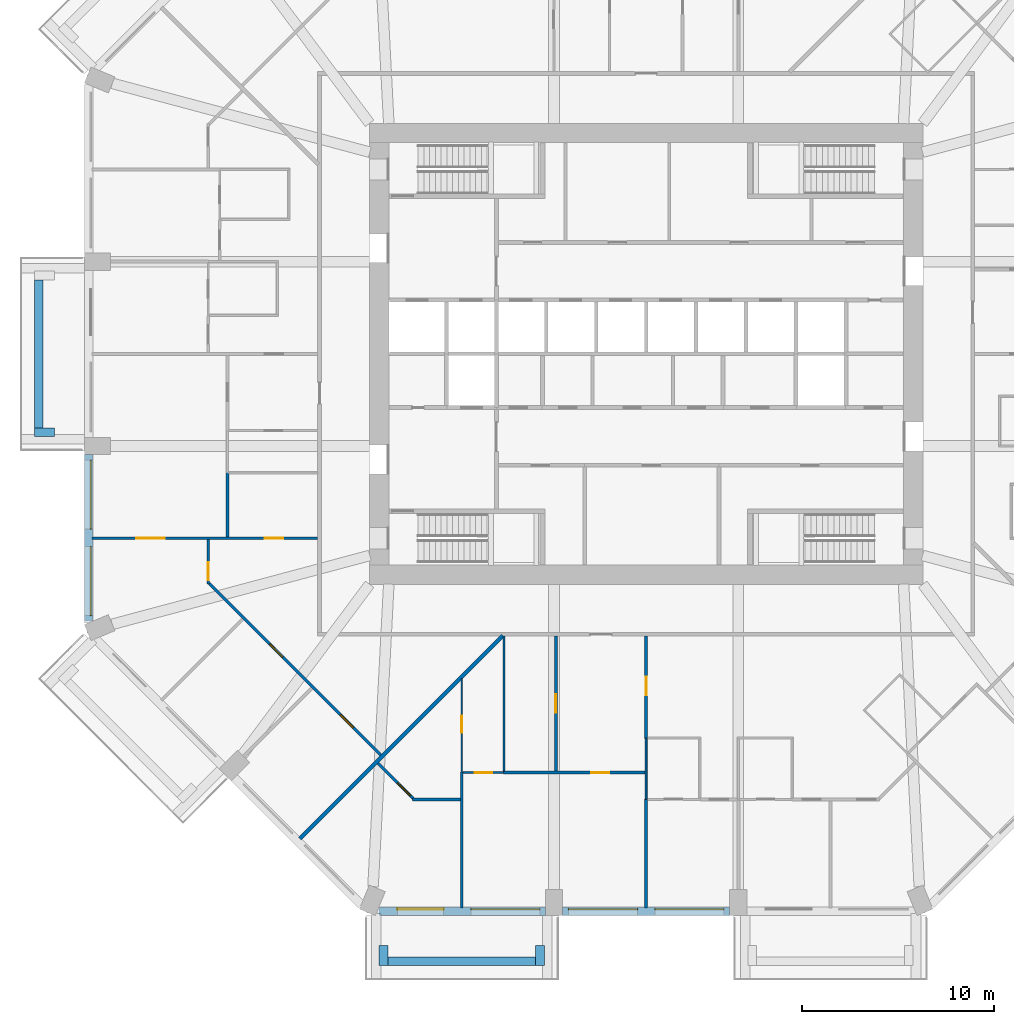
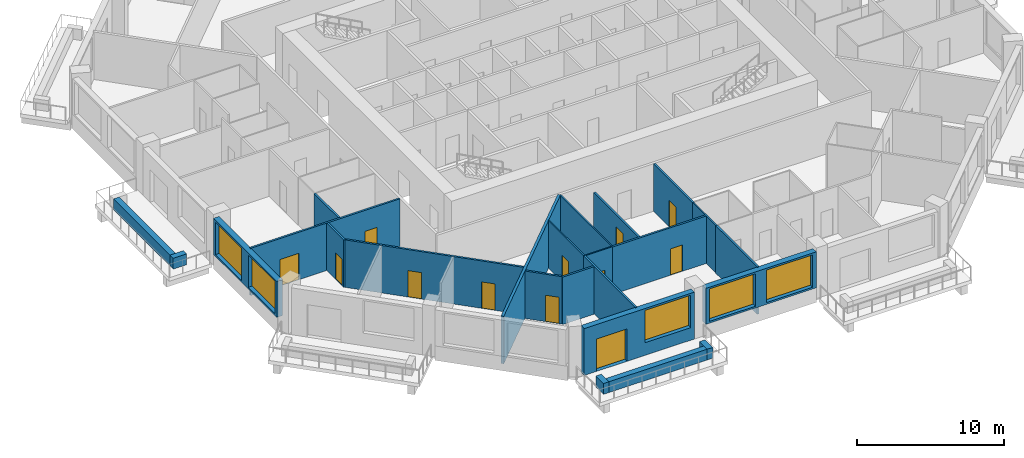
# One storey, part 3 of 13: 24 walls, 12 doors, 5 windows, 17 openings.
"""IFC4 building model written with IfcOpenShell, lengths in metres."""

from ifc_helpers import new_model, si_unit, direction, frame, frame_2d, origin, place, context, subcontext, project, spatial, rectangle, extrude, material, layer, layer_set, type_object, element, fill, save


model = new_model("IFC4")

# Units and contexts
model_context = context("Model", 3, precision=1e-05, world=origin(), true_north=direction((0.0, 1.0)))
body_context = subcontext(model_context, "Body", "Model", "MODEL_VIEW")
ifc_project = project(units=[si_unit("LENGTHUNIT", "METRE"), si_unit("AREAUNIT", "SQUARE_METRE"), si_unit("VOLUMEUNIT", "CUBIC_METRE"), si_unit("PLANEANGLEUNIT", "RADIAN"), si_unit("MASSUNIT", "GRAM", prefix="KILO")], contexts=[model_context])

# Site, building, storey
site_placement = place(None, origin())
site = spatial("IfcSite", under=ifc_project, at=site_placement, CompositionType="ELEMENT")
building_placement = place(site_placement, origin())
building = spatial("IfcBuilding", under=site, at=building_placement, Name="Msitu Wima Residences", CompositionType="ELEMENT")
storey_placement = place(building_placement, frame((0.0, 0.0, 71.699951171875)))
storey = spatial("IfcBuildingStorey", under=building, at=storey_placement, Name="L16", CompositionType="ELEMENT", Elevation=71.699951171875)

# Walls
ifc_material_1 = material(Name="Facing brick")
ifc_layer_1 = layer(ifc_material_1, 0.06494140625, Name="Facing brick")
ifc_material_2 = material(Name="Concrete C40/50", Category="concrete")
ifc_layer_2 = layer(ifc_material_2, 0.156005859375, Name="Concrete C40/50")
ifc_material_3 = material(Name="Waterproofing membrane")
ifc_layer_3 = layer(ifc_material_3, 0.00390625, Name="Waterproofing membrane")
ifc_material_4 = material(Name="Planting soil and planting")
ifc_layer_4 = layer(ifc_material_4, 0.22509765625, Name="Planting soil and planting")
ifc_layer_set_1 = layer_set([ifc_layer_1, ifc_layer_2, ifc_layer_3, ifc_layer_4], Name="Concrete C40/50")
wall_type_1 = type_object("IfcWallType", Name="Balcony planter PLANTER PL450", PredefinedType="USERDEFINED", material=ifc_layer_set_1)
wall_1_placement = place(storey_placement, frame((-31.625, 3.85009765625, 0.0), z_axis=(0.0, 0.0, 1.0), x_axis=(0.0, -1.0, 0.0)))
element("IfcWall", 1, at=wall_1_placement, inside=storey, type_object=wall_type_1, Name="Balcony planter W1 L16", ObjectType="PLANTER", PredefinedType="USERDEFINED", context=body_context, shape_type="SweptSolid", body=[
    extrude(rectangle(XDim=7.7001953125, YDim=0.449951171875, at=frame_2d((3.85009765625, 0.0))), origin(), (0.0, 0.0, 1.0), 0.900146484375),
])
wall_2_placement = place(storey_placement, frame((-30.800048828125, -4.074951171875, 0.0), z_axis=(0.0, 0.0, 1.0), x_axis=(-1.0, 0.0, 0.0)))
element("IfcWall", 2, at=wall_2_placement, inside=storey, type_object=wall_type_1, Name="Balcony planter W1 L16", ObjectType="PLANTER", PredefinedType="USERDEFINED", context=body_context, shape_type="SweptSolid", body=[
    extrude(rectangle(XDim=1.050048828125, YDim=0.449951171875, at=frame_2d((0.52490234375, 0.0))), origin(), (0.0, 0.0, 1.0), 0.900146484375),
])
wall_3_placement = place(storey_placement, frame((-13.449951171875, -31.625, 0.0), z_axis=(0.0, 0.0, 1.0), x_axis=(1.0, 0.0, 0.0)))
element("IfcWall", 3, at=wall_3_placement, inside=storey, type_object=wall_type_1, Name="Balcony planter S0 L16", ObjectType="PLANTER", PredefinedType="USERDEFINED", context=body_context, shape_type="SweptSolid", body=[
    extrude(rectangle(XDim=7.699951171875, YDim=0.449951171875, at=frame_2d((3.85009765625, 0.0))), origin(), (0.0, 0.0, 1.0), 0.900146484375),
])
for number, where, z_axis, x_axis, name in (
    (4, (-13.675048828125, -30.800048828125, 0.0), (0.0, 0.0, 1.0), (0.0, -1.0, 0.0), "Balcony planter S0 L16"),
    (5, (-5.52490234375, -30.800048828125, 0.0), (0.0, 0.0, 1.0), (0.0, -1.0, 0.0), "Balcony planter S0 L16"),
):
    element("IfcWall", number, at=place(storey_placement, frame(where, z_axis=z_axis, x_axis=x_axis)), inside=storey, type_object=wall_type_1, Name=name, ObjectType="PLANTER", PredefinedType="USERDEFINED", context=body_context, shape_type="SweptSolid", body=[
        extrude(rectangle(XDim=1.050048828125, YDim=0.449951171875, at=frame_2d((0.52490234375, 0.0))), origin(), (0.0, 0.0, 1.0), 0.900146484375),
    ])

# Wall, openings, windows
ifc_material_5 = material(Name="Brick (red buff mix)", Category="masonry")
ifc_layer_5 = layer(ifc_material_5, 0.449951171875)
ifc_layer_set_2 = layer_set([ifc_layer_5], Name="Brick (red buff mix)")
wall_type_2 = type_object("IfcWallType", Name="Brick infill wall BW450", PredefinedType="SOLIDWALL", material=ifc_layer_set_2)
wall_4_placement = place(storey_placement, frame((-29.02490234375, -5.25, 0.900146484375), z_axis=(0.0, 0.0, 1.0), x_axis=(0.0, -1.0, 0.0)))
wall_4 = element("IfcWall", 6, at=wall_4_placement, inside=storey, type_object=wall_type_2, Name="Brick infill wall L16 W2", PredefinedType="SOLIDWALL", context=body_context, shape_type="SweptSolid", body=[
    extrude(rectangle(XDim=8.662841796875, YDim=0.449951171875, at=frame_2d((4.33154296875, 0.0))), origin(), (0.0, 0.0, 1.0), 3.0),
])
opening_1_placement = place(wall_4_placement, frame((0.281494140625, 0.0, 0.14990234375)))
opening_1 = element("IfcOpeningElement", 7, at=opening_1_placement, cuts=wall_4, Name="Opening W16-17.029", PredefinedType="OPENING", context=body_context, shape_type="SweptSolid", body=[
    extrude(rectangle(XDim=3.60009765625, YDim=2.699951171875, at=frame_2d((1.800048828125, 1.35009765625))), frame((0.0, 0.23486328125, 0.0), z_axis=(0.0, -1.0, 0.0), x_axis=(1.0, 0.0, 0.0)), (0.0, 0.0, 1.0), 0.469970703125),
])
opening_2_placement = place(wall_4_placement, frame((4.781494140625, 0.0, 0.14990234375)))
opening_2 = element("IfcOpeningElement", 8, at=opening_2_placement, cuts=wall_4, Name="Opening W16-17.030", PredefinedType="OPENING", context=body_context, shape_type="SweptSolid", body=[
    extrude(rectangle(XDim=3.60009765625, YDim=2.699951171875, at=frame_2d((1.800048828125, 1.35009765625))), frame((0.0, 0.23486328125, 0.0), z_axis=(0.0, -1.0, 0.0), x_axis=(1.0, 0.0, 0.0)), (0.0, 0.0, 1.0), 0.469970703125),
])
ifc_material_6 = material(Name="Anodised aluminium, bronze finish, clear low-emissivity double glazing", Category="aluminium")
window_type = type_object("IfcWindowType", Name="Window W3600x2700", PartitioningType="DOUBLE_PANEL_VERTICAL", PredefinedType="WINDOW", material=ifc_material_6)
window_1_placement = place(opening_1_placement, origin())
window_1 = element("IfcWindow", 9, at=window_1_placement, inside=storey, type_object=window_type, Name="Window L16 W2.1", OverallHeight=2.699951171875, OverallWidth=3.60009765625, PartitioningType="SINGLE_PANEL", PredefinedType="WINDOW", context=body_context, shape_type="SweptSolid", body=[
    extrude(rectangle(XDim=3.60009765625, YDim=2.699951171875, at=frame_2d((1.800048828125, 1.35009765625))), frame((0.0, 0.135009765625, 0.0), z_axis=(0.0, -1.0, 0.0), x_axis=(1.0, 0.0, 0.0)), (0.0, 0.0, 1.0), 0.06005859375),
])
fill(opening_1, window_1)
window_2_placement = place(opening_2_placement, origin())
window_2 = element("IfcWindow", 10, at=window_2_placement, inside=storey, type_object=window_type, Name="Window L16 W2.2", OverallHeight=2.699951171875, OverallWidth=3.60009765625, PartitioningType="SINGLE_PANEL", PredefinedType="WINDOW", context=body_context, shape_type="SweptSolid", body=[
    extrude(rectangle(XDim=3.60009765625, YDim=2.699951171875, at=frame_2d((1.800048828125, 1.35009765625))), frame((0.0, 0.135009765625, 0.0), z_axis=(0.0, -1.0, 0.0), x_axis=(1.0, 0.0, 0.0)), (0.0, 0.0, 1.0), 0.06005859375),
])
fill(opening_2, window_2)

# Wall, openings, door, window
wall_5_placement = place(storey_placement, frame((-13.912841796875, -29.02490234375, 0.0), z_axis=(0.0, 0.0, 1.0), x_axis=(1.0, 0.0, 0.0)))
wall_5 = element("IfcWall", 11, at=wall_5_placement, inside=storey, type_object=wall_type_2, Name="Brick infill wall L16 S0", PredefinedType="SOLIDWALL", context=body_context, shape_type="SweptSolid", body=[
    extrude(rectangle(XDim=8.662841796875, YDim=0.449951171875, at=frame_2d((4.33154296875, 0.0))), origin(), (0.0, 0.0, 1.0), 3.900146484375),
])
opening_3_placement = place(wall_5_placement, frame((0.9658203125, 0.0, 0.0)))
opening_3 = element("IfcOpeningElement", 12, at=opening_3_placement, cuts=wall_5, Name="Opening D16-17.006", PredefinedType="OPENING", context=body_context, shape_type="SweptSolid", body=[
    extrude(rectangle(XDim=2.39990234375, YDim=2.699951171875, at=frame_2d((1.199951171875, 1.35009765625))), frame((0.0, 0.23486328125, 0.0), z_axis=(0.0, -1.0, 0.0), x_axis=(1.0, 0.0, 0.0)), (0.0, 0.0, 1.0), 0.469970703125),
])
opening_4_placement = place(wall_5_placement, frame((4.781494140625, 0.0, 1.050048828125)))
opening_4 = element("IfcOpeningElement", 13, at=opening_4_placement, cuts=wall_5, Name="Opening W16-17.016", PredefinedType="OPENING", context=body_context, shape_type="SweptSolid", body=[
    extrude(rectangle(XDim=3.60009765625, YDim=2.699951171875, at=frame_2d((1.800048828125, 1.35009765625))), frame((0.0, 0.23486328125, 0.0), z_axis=(0.0, -1.0, 0.0), x_axis=(1.0, 0.0, 0.0)), (0.0, 0.0, 1.0), 0.469970703125),
])
door_type_1 = type_object("IfcDoorType", Name="Balcony door D2400x2700", OperationType="SLIDING_TO_LEFT", PredefinedType="DOOR", material=ifc_material_6)
door_1_placement = place(opening_3_placement, origin())
door_1 = element("IfcDoor", 14, at=door_1_placement, inside=storey, type_object=door_type_1, Name="Balcony door L16 S0", OperationType="SINGLE_SWING_LEFT", OverallHeight=2.699951171875, OverallWidth=2.39990234375, PredefinedType="DOOR", context=body_context, shape_type="SweptSolid", body=[
    extrude(rectangle(XDim=2.39990234375, YDim=2.699951171875, at=frame_2d((1.199951171875, 1.35009765625))), frame((0.0, 0.1298828125, 0.0), z_axis=(0.0, -1.0, 0.0), x_axis=(1.0, 0.0, 0.0)), (0.0, 0.0, 1.0), 0.050048828125),
])
fill(opening_3, door_1)
window_3_placement = place(opening_4_placement, origin())
window_3 = element("IfcWindow", 15, at=window_3_placement, inside=storey, type_object=window_type, Name="Window L16 S0.2", OverallHeight=2.699951171875, OverallWidth=3.60009765625, PartitioningType="SINGLE_PANEL", PredefinedType="WINDOW", context=body_context, shape_type="SweptSolid", body=[
    extrude(rectangle(XDim=3.60009765625, YDim=2.699951171875, at=frame_2d((1.800048828125, 1.35009765625))), frame((0.0, 0.135009765625, 0.0), z_axis=(0.0, -1.0, 0.0), x_axis=(1.0, 0.0, 0.0)), (0.0, 0.0, 1.0), 0.06005859375),
])
fill(opening_4, window_3)

# Wall, openings, windows
wall_6_placement = place(storey_placement, frame((-4.35009765625, -29.02490234375, 0.900146484375), z_axis=(0.0, 0.0, 1.0), x_axis=(1.0, 0.0, 0.0)))
wall_6 = element("IfcWall", 16, at=wall_6_placement, inside=storey, type_object=wall_type_2, Name="Brick infill wall L16 S1", PredefinedType="SOLIDWALL", context=body_context, shape_type="SweptSolid", body=[
    extrude(rectangle(XDim=8.7001953125, YDim=0.449951171875, at=frame_2d((4.35009765625, 0.0))), origin(), (0.0, 0.0, 1.0), 3.0),
])
opening_5_placement = place(wall_6_placement, frame((0.300048828125, 0.0, 0.14990234375)))
opening_5 = element("IfcOpeningElement", 17, at=opening_5_placement, cuts=wall_6, Name="Opening W16-17.017", PredefinedType="OPENING", context=body_context, shape_type="SweptSolid", body=[
    extrude(rectangle(XDim=3.60009765625, YDim=2.699951171875, at=frame_2d((1.800048828125, 1.35009765625))), frame((0.0, 0.23486328125, 0.0), z_axis=(0.0, -1.0, 0.0), x_axis=(1.0, 0.0, 0.0)), (0.0, 0.0, 1.0), 0.469970703125),
])
opening_6_placement = place(wall_6_placement, frame((4.800048828125, 0.0, 0.14990234375)))
opening_6 = element("IfcOpeningElement", 18, at=opening_6_placement, cuts=wall_6, Name="Opening W16-17.018", PredefinedType="OPENING", context=body_context, shape_type="SweptSolid", body=[
    extrude(rectangle(XDim=3.60009765625, YDim=2.699951171875, at=frame_2d((1.800048828125, 1.35009765625))), frame((0.0, 0.23486328125, 0.0), z_axis=(0.0, -1.0, 0.0), x_axis=(1.0, 0.0, 0.0)), (0.0, 0.0, 1.0), 0.469970703125),
])
window_4_placement = place(opening_5_placement, origin())
window_4 = element("IfcWindow", 19, at=window_4_placement, inside=storey, type_object=window_type, Name="Window L16 S1.1", OverallHeight=2.699951171875, OverallWidth=3.60009765625, PartitioningType="SINGLE_PANEL", PredefinedType="WINDOW", context=body_context, shape_type="SweptSolid", body=[
    extrude(rectangle(XDim=3.60009765625, YDim=2.699951171875, at=frame_2d((1.800048828125, 1.35009765625))), frame((0.0, 0.135009765625, 0.0), z_axis=(0.0, -1.0, 0.0), x_axis=(1.0, 0.0, 0.0)), (0.0, 0.0, 1.0), 0.06005859375),
])
fill(opening_5, window_4)
window_5_placement = place(opening_6_placement, origin())
window_5 = element("IfcWindow", 20, at=window_5_placement, inside=storey, type_object=window_type, Name="Window L16 S1.2", OverallHeight=2.699951171875, OverallWidth=3.60009765625, PartitioningType="SINGLE_PANEL", PredefinedType="WINDOW", context=body_context, shape_type="SweptSolid", body=[
    extrude(rectangle(XDim=3.60009765625, YDim=2.699951171875, at=frame_2d((1.800048828125, 1.35009765625))), frame((0.0, 0.135009765625, 0.0), z_axis=(0.0, -1.0, 0.0), x_axis=(1.0, 0.0, 0.0)), (0.0, 0.0, 1.0), 0.06005859375),
])
fill(opening_6, window_5)

# Wall, openings, doors
ifc_material_7 = material(Name="Plaster")
ifc_layer_6 = layer(ifc_material_7, 0.011962890625, Name="Plaster")
ifc_material_8 = material(Name="Concrete blockwork", Category="masonry")
ifc_layer_7 = layer(ifc_material_8, 0.1259765625, Name="Concrete blockwork")
ifc_layer_8 = layer(ifc_material_7, 0.011962890625, Name="Plaster")
ifc_layer_set_3 = layer_set([ifc_layer_6, ifc_layer_7, ifc_layer_8], Name="Concrete blockwork")
wall_type_3 = type_object("IfcWallType", Name="Partition PW150", PredefinedType="PARTITIONING", material=ifc_layer_set_3)
wall_7_placement = place(storey_placement, frame((-28.85498046875, -9.60009765625, 0.0), z_axis=(0.0, 0.0, 1.0), x_axis=(1.0, 0.0, 0.0)))
wall_7 = element("IfcWall", 21, at=wall_7_placement, inside=storey, type_object=wall_type_3, Name="Partition", PredefinedType="PARTITIONING", context=body_context, shape_type="SweptSolid", body=[
    extrude(rectangle(XDim=11.7548828125, YDim=0.14990234375, at=frame_2d((5.87744140625, 0.0))), origin(), (0.0, 0.0, 1.0), 3.949951171875),
])
opening_7_placement = place(wall_7_placement, frame((2.300048828125, 0.0, 0.0)))
opening_7 = element("IfcOpeningElement", 22, at=opening_7_placement, cuts=wall_7, Name="Opening D16-17.054", PredefinedType="OPENING", context=body_context, shape_type="SweptSolid", body=[
    extrude(rectangle(XDim=1.5, YDim=2.199951171875, at=frame_2d((0.75, 1.10009765625))), frame((0.0, 0.0849609375, 0.0), z_axis=(0.0, -1.0, 0.0), x_axis=(1.0, 0.0, 0.0)), (0.0, 0.0, 1.0), 0.169921875),
])
opening_8_placement = place(wall_7_placement, frame((9.0, 0.0, 0.0)))
opening_8 = element("IfcOpeningElement", 23, at=opening_8_placement, cuts=wall_7, Name="Opening D16-17.058", PredefinedType="OPENING", context=body_context, shape_type="SweptSolid", body=[
    extrude(rectangle(XDim=0.949951171875, YDim=2.199951171875, at=frame_2d((0.47509765625, 1.10009765625))), frame((0.0, 0.0849609375, 0.0), z_axis=(0.0, -1.0, 0.0), x_axis=(1.0, 0.0, 0.0)), (0.0, 0.0, 1.0), 0.169921875),
])
ifc_material_9 = material(Name="Timber double door", Category="wood")
door_type_2 = type_object("IfcDoorType", Name="Double door D04 1500x2200", OperationType="DOUBLE_DOOR_SINGLE_SWING", PredefinedType="DOOR", material=ifc_material_9)
door_2_placement = place(opening_7_placement, origin())
door_2 = element("IfcDoor", 24, at=door_2_placement, inside=storey, type_object=door_type_2, Name="Double door", OperationType="DOUBLE_DOOR_SINGLE_SWING", OverallHeight=2.199951171875, OverallWidth=1.5, PredefinedType="DOOR", context=body_context, shape_type="SweptSolid", body=[
    extrude(rectangle(XDim=1.5, YDim=2.199951171875, at=frame_2d((0.75, 1.10009765625))), frame((0.0, 0.02490234375, 0.0), z_axis=(0.0, -1.0, 0.0), x_axis=(1.0, 0.0, 0.0)), (0.0, 0.0, 1.0), 0.050048828125),
])
fill(opening_7, door_2)
ifc_material_10 = material(Name="Timber flush door", Category="wood")
door_type_3 = type_object("IfcDoorType", Name="Room door D12 950x2200", OperationType="SINGLE_SWING_LEFT", PredefinedType="DOOR", material=ifc_material_10)
door_3_placement = place(opening_8_placement, origin())
door_3 = element("IfcDoor", 25, at=door_3_placement, inside=storey, type_object=door_type_3, Name="Room door", OperationType="SINGLE_SWING_RIGHT", OverallHeight=2.199951171875, OverallWidth=0.949951171875, PredefinedType="DOOR", context=body_context, shape_type="SweptSolid", body=[
    extrude(rectangle(XDim=0.949951171875, YDim=2.199951171875, at=frame_2d((0.47509765625, 1.10009765625))), frame((0.0, 0.02490234375, 0.0), z_axis=(0.0, -1.0, 0.0), x_axis=(1.0, 0.0, 0.0)), (0.0, 0.0, 1.0), 0.050048828125),
])
fill(opening_8, door_3)

# Wall, opening, door
wall_8_placement = place(storey_placement, frame((-22.800048828125, -11.98974609375, 0.0), z_axis=(0.0, 0.0, 1.0), x_axis=(0.0, 1.0, 0.0)))
wall_8 = element("IfcWall", 26, at=wall_8_placement, inside=storey, type_object=wall_type_3, Name="Partition", PredefinedType="PARTITIONING", context=body_context, shape_type="SweptSolid", body=[
    extrude(rectangle(XDim=2.314697265625, YDim=0.14990234375, at=frame_2d((1.1572265625, 0.0))), origin(), (0.0, 0.0, 1.0), 3.949951171875),
])
opening_9_placement = place(wall_8_placement, frame((0.199951171875, 0.0, 0.0)))
opening_9 = element("IfcOpeningElement", 27, at=opening_9_placement, cuts=wall_8, Name="Opening D16-17.055", PredefinedType="OPENING", context=body_context, shape_type="SweptSolid", body=[
    extrude(rectangle(XDim=0.949951171875, YDim=2.199951171875, at=frame_2d((0.47509765625, 1.10009765625))), frame((0.0, 0.0849609375, 0.0), z_axis=(0.0, -1.0, 0.0), x_axis=(1.0, 0.0, 0.0)), (0.0, 0.0, 1.0), 0.169921875),
])
door_4_placement = place(opening_9_placement, origin())
door_4 = element("IfcDoor", 28, at=door_4_placement, inside=storey, type_object=door_type_3, Name="Room door", OperationType="SINGLE_SWING_RIGHT", OverallHeight=2.199951171875, OverallWidth=0.949951171875, PredefinedType="DOOR", context=body_context, shape_type="SweptSolid", body=[
    extrude(rectangle(XDim=0.949951171875, YDim=2.199951171875, at=frame_2d((0.47509765625, 1.10009765625))), frame((0.0, 0.02490234375, 0.0), z_axis=(0.0, -1.0, 0.0), x_axis=(1.0, 0.0, 0.0)), (0.0, 0.0, 1.0), 0.050048828125),
])
fill(opening_9, door_4)

# Wall, openings, doors
wall_9_placement = place(storey_placement, frame((-22.7470703125, -11.9677734375, 0.0), z_axis=(0.0, 0.0, 1.0), x_axis=(0.707106781187, -0.707106781187, 0.0)))
wall_9 = element("IfcWall", 29, at=wall_9_placement, inside=storey, type_object=wall_type_3, Name="Partition", PredefinedType="PARTITIONING", context=body_context, shape_type="SweptSolid", body=[
    extrude(rectangle(XDim=12.61328125, YDim=0.14990234375, at=frame_2d((6.306640625, 0.0))), origin(), (0.0, 0.0, 1.0), 3.949951171875),
])
opening_10_placement = place(wall_9_placement, frame((4.449951171875, 0.0, 0.0)))
opening_10 = element("IfcOpeningElement", 30, at=opening_10_placement, cuts=wall_9, Name="Opening D16-17.056", PredefinedType="OPENING", context=body_context, shape_type="SweptSolid", body=[
    extrude(rectangle(XDim=0.949951171875, YDim=2.199951171875, at=frame_2d((0.47509765625, 1.10009765625))), frame((0.0, 0.0849609375, 0.0), z_axis=(0.0, -1.0, 0.0), x_axis=(1.0, 0.0, 0.0)), (0.0, 0.0, 1.0), 0.169921875),
])
opening_11_placement = place(wall_9_placement, frame((9.64990234375, 0.0, 0.0)))
opening_11 = element("IfcOpeningElement", 31, at=opening_11_placement, cuts=wall_9, Name="Opening D16-17.057", PredefinedType="OPENING", context=body_context, shape_type="SweptSolid", body=[
    extrude(rectangle(XDim=0.949951171875, YDim=2.199951171875, at=frame_2d((0.47509765625, 1.10009765625))), frame((0.0, 0.0849609375, 0.0), z_axis=(0.0, -1.0, 0.0), x_axis=(1.0, 0.0, 0.0)), (0.0, 0.0, 1.0), 0.169921875),
])
door_5_placement = place(opening_10_placement, origin())
door_5 = element("IfcDoor", 32, at=door_5_placement, inside=storey, type_object=door_type_3, Name="Room door", OperationType="SINGLE_SWING_RIGHT", OverallHeight=2.199951171875, OverallWidth=0.949951171875, PredefinedType="DOOR", context=body_context, shape_type="SweptSolid", body=[
    extrude(rectangle(XDim=0.949951171875, YDim=2.199951171875, at=frame_2d((0.47509765625, 1.10009765625))), frame((0.0, 0.02490234375, 0.0), z_axis=(0.0, -1.0, 0.0), x_axis=(1.0, 0.0, 0.0)), (0.0, 0.0, 1.0), 0.050048828125),
])
fill(opening_10, door_5)
door_6_placement = place(opening_11_placement, origin())
door_6 = element("IfcDoor", 33, at=door_6_placement, inside=storey, type_object=door_type_3, Name="Room door", OperationType="SINGLE_SWING_RIGHT", OverallHeight=2.199951171875, OverallWidth=0.949951171875, PredefinedType="DOOR", context=body_context, shape_type="SweptSolid", body=[
    extrude(rectangle(XDim=0.949951171875, YDim=2.199951171875, at=frame_2d((0.47509765625, 1.10009765625))), frame((0.0, 0.02490234375, 0.0), z_axis=(0.0, -1.0, 0.0), x_axis=(1.0, 0.0, 0.0)), (0.0, 0.0, 1.0), 0.050048828125),
])
fill(opening_11, door_6)

# Wall
wall_10_placement = place(storey_placement, frame((-21.800048828125, -9.52490234375, 0.0), z_axis=(0.0, 0.0, 1.0), x_axis=(0.0, 1.0, 0.0)))
element("IfcWall", 34, at=wall_10_placement, inside=storey, type_object=wall_type_3, Name="Partition", PredefinedType="PARTITIONING", context=body_context, shape_type="SweptSolid", body=[
    extrude(rectangle(XDim=3.344970703125, YDim=0.14990234375, at=frame_2d((1.67236328125, 0.0))), origin(), (0.0, 0.0, 1.0), 3.949951171875),
])

# Wall, opening, door
wall_11_placement = place(storey_placement, frame((-13.969482421875, -21.310791015625, 0.0), z_axis=(0.0, 0.0, 1.0), x_axis=(0.707059767671, -0.707153791576, 0.0)))
wall_11 = element("IfcWall", 35, at=wall_11_placement, inside=storey, type_object=wall_type_3, Name="Partition", PredefinedType="PARTITIONING", context=body_context, shape_type="SweptSolid", body=[
    extrude(rectangle(XDim=2.5966796875, YDim=0.14990234375, at=frame_2d((1.29833984375, 0.0))), origin(), (0.0, 0.0, 1.0), 3.949951171875),
])
opening_12_placement = place(wall_11_placement, frame((1.449951171875, 0.0, 0.0)))
opening_12 = element("IfcOpeningElement", 36, at=opening_12_placement, cuts=wall_11, Name="Opening D16-17.074", PredefinedType="OPENING", context=body_context, shape_type="SweptSolid", body=[
    extrude(rectangle(XDim=0.949951171875, YDim=2.199951171875, at=frame_2d((0.47509765625, 1.10009765625))), frame((0.0, 0.0849609375, 0.0), z_axis=(0.0, -1.0, 0.0), x_axis=(1.0, 0.0, 0.0)), (0.0, 0.0, 1.0), 0.169921875),
])
door_7_placement = place(opening_12_placement, origin())
door_7 = element("IfcDoor", 37, at=door_7_placement, inside=storey, type_object=door_type_3, Name="Room door", OperationType="SINGLE_SWING_RIGHT", OverallHeight=2.199951171875, OverallWidth=0.949951171875, PredefinedType="DOOR", context=body_context, shape_type="SweptSolid", body=[
    extrude(rectangle(XDim=0.949951171875, YDim=2.199951171875, at=frame_2d((0.47509765625, 1.10009765625))), frame((0.0, 0.02490234375, 0.0), z_axis=(0.0, -1.0, 0.0), x_axis=(1.0, 0.0, 0.0)), (0.0, 0.0, 1.0), 0.050048828125),
])
fill(opening_12, door_7)

# Walls
wall_12_placement = place(storey_placement, frame((-12.155517578125, -23.199951171875, 0.0), z_axis=(0.0, 0.0, 1.0), x_axis=(1.0, 0.0, 0.0)))
element("IfcWall", 38, at=wall_12_placement, inside=storey, type_object=wall_type_3, Name="Partition", PredefinedType="PARTITIONING", context=body_context, shape_type="SweptSolid", body=[
    extrude(rectangle(XDim=2.48046875, YDim=0.14990234375, at=frame_2d((1.240234375, 0.0))), origin(), (0.0, 0.0, 1.0), 3.949951171875),
])
wall_13_placement = place(storey_placement, frame((-9.60009765625, -28.85498046875, 0.0), z_axis=(0.0, 0.0, 1.0), x_axis=(0.0, 1.0, 0.0)))
element("IfcWall", 39, at=wall_13_placement, inside=storey, type_object=wall_type_3, Name="Partition", PredefinedType="PARTITIONING", context=body_context, shape_type="SweptSolid", body=[
    extrude(rectangle(XDim=7.074951171875, YDim=0.14990234375, at=frame_2d((3.53759765625, 0.0))), origin(), (0.0, 0.0, 1.0), 3.949951171875),
])

# Wall, opening, door
wall_14_placement = place(storey_placement, frame((-7.419921875, -21.800048828125, 0.0), z_axis=(0.0, 0.0, 1.0), x_axis=(1.0, 0.0, 0.0)))
wall_14 = element("IfcWall", 40, at=wall_14_placement, inside=storey, type_object=wall_type_3, Name="Partition", PredefinedType="PARTITIONING", context=body_context, shape_type="SweptSolid", body=[
    extrude(rectangle(XDim=7.369873046875, YDim=0.14990234375, at=frame_2d((3.68505859375, 0.0))), origin(), (0.0, 0.0, 1.0), 3.949951171875),
])
opening_13_placement = place(wall_14_placement, frame((4.550048828125, 0.0, 0.0)))
opening_13 = element("IfcOpeningElement", 41, at=opening_13_placement, cuts=wall_14, Name="Opening D16-17.060", PredefinedType="OPENING", context=body_context, shape_type="SweptSolid", body=[
    extrude(rectangle(XDim=0.949951171875, YDim=2.199951171875, at=frame_2d((0.47509765625, 1.10009765625))), frame((0.0, 0.0849609375, 0.0), z_axis=(0.0, -1.0, 0.0), x_axis=(1.0, 0.0, 0.0)), (0.0, 0.0, 1.0), 0.169921875),
])
door_8_placement = place(opening_13_placement, origin())
door_8 = element("IfcDoor", 42, at=door_8_placement, inside=storey, type_object=door_type_3, Name="Room door", OperationType="SINGLE_SWING_LEFT", OverallHeight=2.199951171875, OverallWidth=0.949951171875, PredefinedType="DOOR", context=body_context, shape_type="SweptSolid", body=[
    extrude(rectangle(XDim=0.949951171875, YDim=2.199951171875, at=frame_2d((0.47509765625, 1.10009765625))), frame((0.0, 0.02490234375, 0.0), z_axis=(0.0, -1.0, 0.0), x_axis=(1.0, 0.0, 0.0)), (0.0, 0.0, 1.0), 0.050048828125),
])
fill(opening_13, door_8)

wall_15_placement = place(storey_placement, frame((-4.699951171875, -21.72509765625, 0.0), z_axis=(0.0, 0.0, 1.0), x_axis=(0.0, 1.0, 0.0)))
wall_15 = element("IfcWall", 43, at=wall_15_placement, inside=storey, type_object=wall_type_3, Name="Partition", PredefinedType="PARTITIONING", context=body_context, shape_type="SweptSolid", body=[
    extrude(rectangle(XDim=7.025146484375, YDim=0.14990234375, at=frame_2d((3.5126953125, 0.0))), origin(), (0.0, 0.0, 1.0), 3.199951171875),
])
opening_14_placement = place(wall_15_placement, frame((3.050048828125, 0.0, 0.0)))
opening_14 = element("IfcOpeningElement", 44, at=opening_14_placement, cuts=wall_15, Name="Opening D16-17.068", PredefinedType="OPENING", context=body_context, shape_type="SweptSolid", body=[
    extrude(rectangle(XDim=0.949951171875, YDim=2.199951171875, at=frame_2d((0.47509765625, 1.10009765625))), frame((0.0, 0.0849609375, 0.0), z_axis=(0.0, -1.0, 0.0), x_axis=(1.0, 0.0, 0.0)), (0.0, 0.0, 1.0), 0.169921875),
])
door_9_placement = place(opening_14_placement, origin())
door_9 = element("IfcDoor", 45, at=door_9_placement, inside=storey, type_object=door_type_3, Name="Room door", OperationType="SINGLE_SWING_RIGHT", OverallHeight=2.199951171875, OverallWidth=0.949951171875, PredefinedType="DOOR", context=body_context, shape_type="SweptSolid", body=[
    extrude(rectangle(XDim=0.949951171875, YDim=2.199951171875, at=frame_2d((0.47509765625, 1.10009765625))), frame((0.0, 0.02490234375, 0.0), z_axis=(0.0, -1.0, 0.0), x_axis=(1.0, 0.0, 0.0)), (0.0, 0.0, 1.0), 0.050048828125),
])
fill(opening_14, door_9)

# Wall
wall_16_placement = place(storey_placement, frame((0.0, -28.85498046875, 0.0), z_axis=(0.0, 0.0, 1.0), x_axis=(0.0, 1.0, 0.0)))
element("IfcWall", 46, at=wall_16_placement, inside=storey, type_object=wall_type_3, Name="Partition", PredefinedType="PARTITIONING", context=body_context, shape_type="SweptSolid", body=[
    extrude(rectangle(XDim=5.675048828125, YDim=0.14990234375, at=frame_2d((2.83740234375, 0.0))), origin(), (0.0, 0.0, 1.0), 3.949951171875),
])

# Wall, opening, door
wall_17_placement = place(storey_placement, frame((0.0, -20.02001953125, 0.0), z_axis=(0.0, 0.0, 1.0), x_axis=(0.0, 1.0, 0.0)))
wall_17 = element("IfcWall", 47, at=wall_17_placement, inside=storey, type_object=wall_type_3, Name="Partition", PredefinedType="PARTITIONING", context=body_context, shape_type="SweptSolid", body=[
    extrude(rectangle(XDim=5.320068359375, YDim=0.14990234375, at=frame_2d((2.66015625, 0.0))), origin(), (0.0, 0.0, 1.0), 3.949951171875),
])
opening_15_placement = place(wall_17_placement, frame((2.25, 0.0, 0.0)))
opening_15 = element("IfcOpeningElement", 48, at=opening_15_placement, cuts=wall_17, Name="Opening D16-17.061", PredefinedType="OPENING", context=body_context, shape_type="SweptSolid", body=[
    extrude(rectangle(XDim=0.949951171875, YDim=2.199951171875, at=frame_2d((0.47509765625, 1.10009765625))), frame((0.0, 0.0849609375, 0.0), z_axis=(0.0, -1.0, 0.0), x_axis=(1.0, 0.0, 0.0)), (0.0, 0.0, 1.0), 0.169921875),
])
door_10_placement = place(opening_15_placement, origin())
door_10 = element("IfcDoor", 49, at=door_10_placement, inside=storey, type_object=door_type_3, Name="Room door", OperationType="SINGLE_SWING_LEFT", OverallHeight=2.199951171875, OverallWidth=0.949951171875, PredefinedType="DOOR", context=body_context, shape_type="SweptSolid", body=[
    extrude(rectangle(XDim=0.949951171875, YDim=2.199951171875, at=frame_2d((0.47509765625, 1.10009765625))), frame((0.0, 0.02490234375, 0.0), z_axis=(0.0, -1.0, 0.0), x_axis=(1.0, 0.0, 0.0)), (0.0, 0.0, 1.0), 0.050048828125),
])
fill(opening_15, door_10)

# Wall
ifc_layer_9 = layer(ifc_material_7, 0.011962890625, Name="Plaster")
ifc_material_11 = material(Name="Dense concrete blockwork", Category="masonry")
ifc_layer_10 = layer(ifc_material_11, 0.176025390625, Name="Dense concrete blockwork")
ifc_layer_11 = layer(ifc_material_7, 0.011962890625, Name="Plaster")
ifc_layer_set_4 = layer_set([ifc_layer_9, ifc_layer_10, ifc_layer_11], Name="Dense concrete blockwork")
wall_type_4 = type_object("IfcWallType", Name="Party wall PW200", PredefinedType="PARTITIONING", material=ifc_layer_set_4)
wall_18_placement = place(storey_placement, frame((-18.038818359375, -25.23876953125, 0.0), z_axis=(0.0, 0.0, 1.0), x_axis=(0.707106781187, 0.707106781187, 0.0)))
element("IfcWall", 50, at=wall_18_placement, inside=storey, type_object=wall_type_4, Name="Party wall", PredefinedType="PARTITIONING", context=body_context, shape_type="SweptSolid", body=[
    extrude(rectangle(XDim=14.945556640625, YDim=0.199951171875, at=frame_2d((7.47265625, 0.0))), origin(), (0.0, 0.0, 1.0), 3.949951171875),
])

# Wall, opening, door
ifc_material_12 = material(Name="Ceramic tiles")
ifc_layer_12 = layer(ifc_material_12, 0.008056640625, Name="Ceramic tiles")
ifc_material_13 = material(Name="Moisture-resistant board")
ifc_layer_13 = layer(ifc_material_13, 0.012451171875, Name="Moisture-resistant board")
ifc_material_14 = material(Name="Light-gauge stud framing with mineral wool")
ifc_layer_14 = layer(ifc_material_14, 0.06689453125, Name="Light-gauge stud framing with mineral wool")
ifc_layer_15 = layer(ifc_material_13, 0.012451171875, Name="Moisture-resistant board")
ifc_layer_set_5 = layer_set([ifc_layer_12, ifc_layer_13, ifc_layer_14, ifc_layer_15], Name="Light-gauge stud framing with mineral wool")
wall_type_5 = type_object("IfcWallType", Name="Wet wall PW100", PredefinedType="PARTITIONING", material=ifc_layer_set_5)
wall_19_placement = place(storey_placement, frame((-9.60009765625, -21.780029296875, 0.0), z_axis=(0.0, 0.0, 1.0), x_axis=(0.0, 1.0, 0.0)))
wall_19 = element("IfcWall", 51, at=wall_19_placement, inside=storey, type_object=wall_type_5, Name="Wet wall", PredefinedType="PARTITIONING", context=body_context, shape_type="SweptSolid", body=[
    extrude(rectangle(XDim=4.880126953125, YDim=0.10009765625, at=frame_2d((2.43994140625, 0.0))), origin(), (0.0, 0.0, 1.0), 3.949951171875),
])
opening_16_placement = place(wall_19_placement, frame((2.050048828125, 0.0, 0.0)))
opening_16 = element("IfcOpeningElement", 52, at=opening_16_placement, cuts=wall_19, Name="Opening D16-17.073", PredefinedType="OPENING", context=body_context, shape_type="SweptSolid", body=[
    extrude(rectangle(XDim=0.89990234375, YDim=2.199951171875, at=frame_2d((0.449951171875, 1.10009765625))), frame((0.0, 0.06005859375, 0.0), z_axis=(0.0, -1.0, 0.0), x_axis=(1.0, 0.0, 0.0)), (0.0, 0.0, 1.0), 0.1201171875),
])
ifc_material_15 = material(Name="Timber flush door, moisture resistant", Category="wood")
door_type_4 = type_object("IfcDoorType", Name="Bathroom door D03 900x2200", OperationType="SINGLE_SWING_LEFT", PredefinedType="DOOR", material=ifc_material_15)
door_11_placement = place(opening_16_placement, origin())
door_11 = element("IfcDoor", 53, at=door_11_placement, inside=storey, type_object=door_type_4, Name="Bathroom door", OperationType="SINGLE_SWING_RIGHT", OverallHeight=2.199951171875, OverallWidth=0.89990234375, PredefinedType="DOOR", context=body_context, shape_type="SweptSolid", body=[
    extrude(rectangle(XDim=0.89990234375, YDim=2.199951171875, at=frame_2d((0.449951171875, 1.10009765625))), frame((0.0, 0.02490234375, 0.0), z_axis=(0.0, -1.0, 0.0), x_axis=(1.0, 0.0, 0.0)), (0.0, 0.0, 1.0), 0.050048828125),
])
fill(opening_16, door_11)

wall_20_placement = place(storey_placement, frame((-9.52490234375, -21.800048828125, 0.0), z_axis=(0.0, 0.0, 1.0), x_axis=(1.0, 0.0, 0.0)))
wall_20 = element("IfcWall", 54, at=wall_20_placement, inside=storey, type_object=wall_type_5, Name="Wet wall", PredefinedType="PARTITIONING", context=body_context, shape_type="SweptSolid", body=[
    extrude(rectangle(XDim=2.10498046875, YDim=0.10009765625, at=frame_2d((1.052490234375, 0.0))), origin(), (0.0, 0.0, 1.0), 3.949951171875),
])
opening_17_placement = place(wall_20_placement, frame((0.60009765625, 0.0, 0.0)))
opening_17 = element("IfcOpeningElement", 55, at=opening_17_placement, cuts=wall_20, Name="Opening D16-17.072", PredefinedType="OPENING", context=body_context, shape_type="SweptSolid", body=[
    extrude(rectangle(XDim=0.89990234375, YDim=2.199951171875, at=frame_2d((0.449951171875, 1.10009765625))), frame((0.0, 0.06005859375, 0.0), z_axis=(0.0, -1.0, 0.0), x_axis=(1.0, 0.0, 0.0)), (0.0, 0.0, 1.0), 0.1201171875),
])
door_12_placement = place(opening_17_placement, origin())
door_12 = element("IfcDoor", 56, at=door_12_placement, inside=storey, type_object=door_type_4, Name="Bathroom door", OperationType="SINGLE_SWING_RIGHT", OverallHeight=2.199951171875, OverallWidth=0.89990234375, PredefinedType="DOOR", context=body_context, shape_type="SweptSolid", body=[
    extrude(rectangle(XDim=0.89990234375, YDim=2.199951171875, at=frame_2d((0.449951171875, 1.10009765625))), frame((0.0, 0.02490234375, 0.0), z_axis=(0.0, -1.0, 0.0), x_axis=(1.0, 0.0, 0.0)), (0.0, 0.0, 1.0), 0.050048828125),
])
fill(opening_17, door_12)

# Walls
wall_21_placement = place(storey_placement, frame((-7.39990234375, -21.72509765625, 0.0), z_axis=(0.0, 0.0, 1.0), x_axis=(0.0, 1.0, 0.0)))
element("IfcWall", 57, at=wall_21_placement, inside=storey, type_object=wall_type_5, Name="Wet wall", PredefinedType="PARTITIONING", context=body_context, shape_type="SweptSolid", body=[
    extrude(rectangle(XDim=7.025146484375, YDim=0.10009765625, at=frame_2d((3.5126953125, 0.0))), origin(), (0.0, 0.0, 1.0), 3.949951171875),
])
wall_22_placement = place(storey_placement, frame((0.0, -23.179931640625, 0.0), z_axis=(0.0, 0.0, 1.0), x_axis=(0.0, 1.0, 0.0)))
element("IfcWall", 58, at=wall_22_placement, inside=storey, type_object=wall_type_5, Name="Wet wall", PredefinedType="PARTITIONING", context=body_context, shape_type="SweptSolid", body=[
    extrude(rectangle(XDim=3.159912109375, YDim=0.10009765625, at=frame_2d((1.580078125, 0.0))), origin(), (0.0, 0.0, 1.0), 3.949951171875),
])

save(model, "model.ifc")
